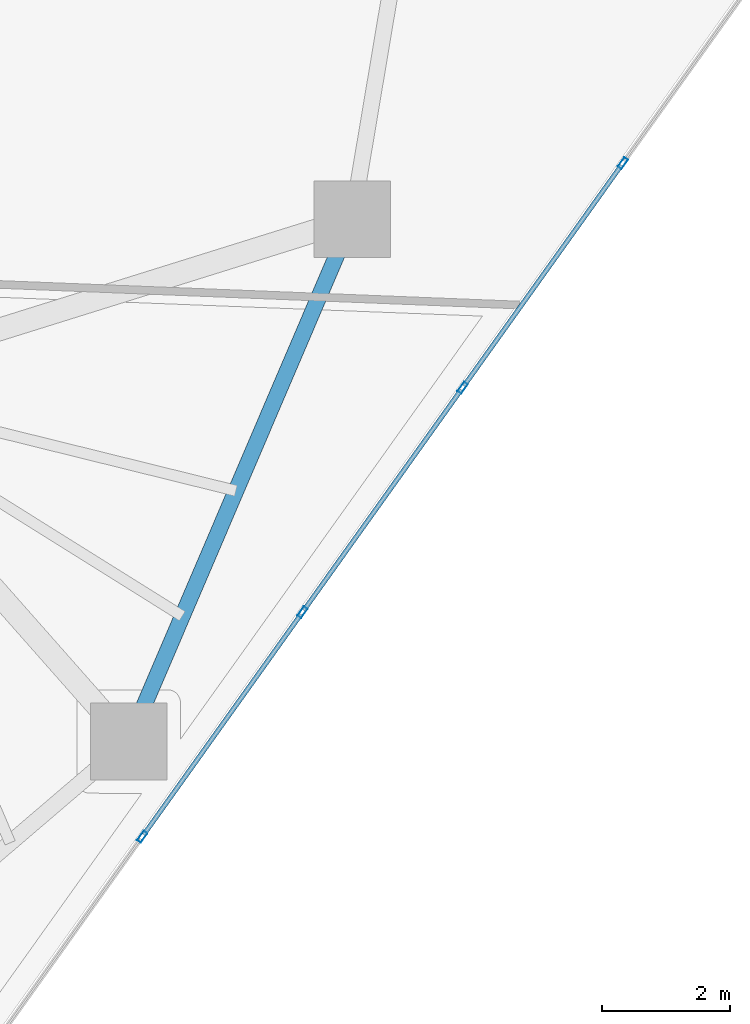
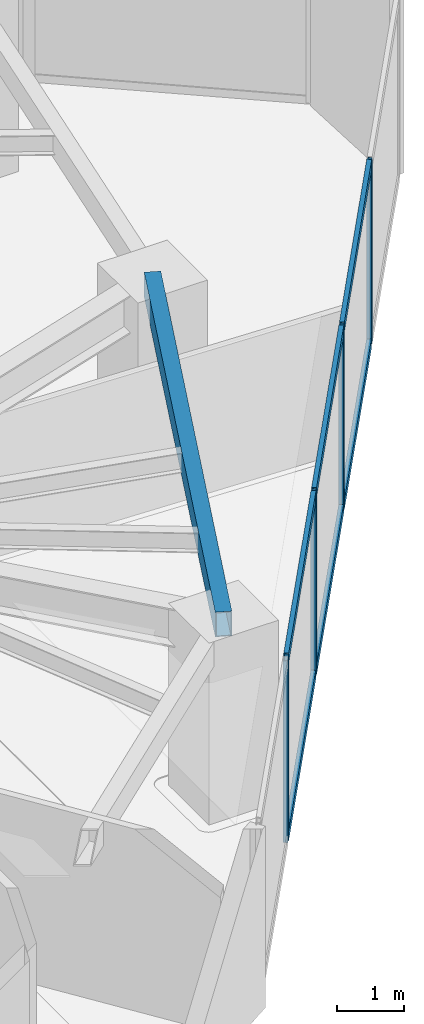
# One storey, part 11 of 22: 10 members, 1 beam, 1 element without a shape of its own.
"""IFC4 building model written with IfcOpenShell, lengths in metres."""

import ifcopenshell
import ifcopenshell.guid

model = None  # the IFC model being written
_history = None  # IfcOwnerHistory: only IFC2X3 demands one
_inside = {}  # id of a spatial element -> (the spatial element, [elements in it])
_under = {}  # id of a project, library or spatial element -> (it, [spatial elements below it])
_declared = {}  # id of a project -> (the project, [libraries it declares])
_typed = {}  # id of a type object -> (the type object, [elements of that type])
_made_of = {}  # id of a material, layer set ... -> (it, [elements and type objects made of it])


def new_model(schema):
    """Start an empty IFC model of exactly this schema.

    Asked for "IFC4X3", IfcOpenShell would pick the latest addendum, in which some entities
    have other attributes; the version numbers below select the first issue.
    IFC2X3 requires an IfcOwnerHistory on every rooted entity: one is made here for all.
    """
    global model, _history
    if schema == "IFC4X3":
        model = ifcopenshell.file(schema_version=(4, 3, 0, 0))
    else:
        model = ifcopenshell.file(schema=schema)
    _inside.clear()
    _under.clear()
    _declared.clear()
    _typed.clear()
    _made_of.clear()
    _history = None
    if model.schema == "IFC2X3":
        org = make("IfcOrganization", Name="unknown")
        user = make(
            "IfcPersonAndOrganization",
            ThePerson=make("IfcPerson", FamilyName="unknown"),
            TheOrganization=org,
        )
        app = make(
            "IfcApplication",
            ApplicationDeveloper=org,
            Version="unknown",
            ApplicationFullName="unknown",
            ApplicationIdentifier="unknown",
        )
        _history = make(
            "IfcOwnerHistory",
            OwningUser=user,
            OwningApplication=app,
            ChangeAction="ADDED",
            CreationDate=0,
        )
    return model


def make(cls, **values):
    """One entity of the class cls with the attributes given. An attribute that is None is left unset."""
    return model.create_entity(
        cls, **{name: value for name, value in values.items() if value is not None}
    )


def rooted(cls, **values):
    """An entity with a GlobalId (a new one), such as an element, a storey or a relation."""
    return make(cls, GlobalId=ifcopenshell.guid.new(), OwnerHistory=_history, **values)


def si_unit(unit_type, name, prefix=None):
    """IfcSIUnit, for example si_unit("LENGTHUNIT", "METRE", prefix="MILLI")."""
    return make("IfcSIUnit", UnitType=unit_type, Prefix=prefix, Name=name)


def assignment(units):
    """IfcUnitAssignment: the units of a project."""
    return None if units is None else make("IfcUnitAssignment", Units=units)


def point(xyz):
    """IfcCartesianPoint."""
    return None if xyz is None else make("IfcCartesianPoint", Coordinates=xyz)


def direction(xyz):
    """IfcDirection."""
    return None if xyz is None else make("IfcDirection", DirectionRatios=xyz)


def frame(location, z_axis=None, x_axis=None):
    """IfcAxis2Placement3D, a coordinate frame: its origin and axes. An axis left out is left unset."""
    return make(
        "IfcAxis2Placement3D",
        Location=point(location),
        Axis=direction(z_axis),
        RefDirection=direction(x_axis),
    )


def frame_2d(location, x_axis=None):
    """IfcAxis2Placement2D, a coordinate frame in the plane: its origin and x axis."""
    return make(
        "IfcAxis2Placement2D", Location=point(location), RefDirection=direction(x_axis)
    )


def origin():
    """The frame at (0, 0, 0) with its axes left unset."""
    return frame((0.0, 0.0, 0.0))


def origin_2d():
    """The frame at (0, 0) in the plane with its x axis left unset."""
    return frame_2d((0.0, 0.0))


def place(relative_to, where):
    """IfcLocalPlacement: puts the frame where relative to a parent placement (None: the world)."""
    return make(
        "IfcLocalPlacement", PlacementRelTo=relative_to, RelativePlacement=where
    )


def context(
    kind, dimensions, precision=None, world=None, true_north=None, identifier=None
):
    """IfcGeometricRepresentationContext, for example the 3D "Model" context."""
    return make(
        "IfcGeometricRepresentationContext",
        ContextIdentifier=identifier,
        ContextType=kind,
        CoordinateSpaceDimension=dimensions,
        Precision=precision,
        WorldCoordinateSystem=world,
        TrueNorth=true_north,
    )


def subcontext(parent, identifier, kind, view, scale=None):
    """IfcGeometricRepresentationSubContext, for example "Body" below "Model"."""
    return make(
        "IfcGeometricRepresentationSubContext",
        ContextIdentifier=identifier,
        ContextType=kind,
        ParentContext=parent,
        TargetScale=scale,
        TargetView=view,
    )


def project(units=None, contexts=None):
    """IfcProject with its units and contexts."""
    return rooted(
        "IfcProject",
        Name="project",
        RepresentationContexts=contexts,
        UnitsInContext=assignment(units),
    )


def spatial(cls, under=None, at=None, **own):
    """A site, building, storey or space (cls), placed at a placement, below another one or the project."""
    s = rooted(cls, ObjectPlacement=at, **own)
    if under is not None:
        _under.setdefault(under.id(), (under, []))[1].append(s)
    return s


def profile(cls, at=None, kind="AREA", **sizes):
    """A parametric profile (cls). Its sizes go by their IFC names, for example OverallWidth=200.0."""
    return make(cls, ProfileType=kind, Position=at, **sizes)


def hollow_rectangle(**sizes):
    """IfcRectangleHollowProfileDef."""
    return profile("IfcRectangleHollowProfileDef", **sizes)


def extrude(swept, where, along, depth):
    """IfcExtrudedAreaSolid: the profile swept, set in the frame where, extruded along a direction by depth."""
    return make(
        "IfcExtrudedAreaSolid",
        SweptArea=swept,
        Position=where,
        ExtrudedDirection=direction(along),
        Depth=depth,
    )


def shape(context_of_items, identifier, shape_type, items):
    """IfcShapeRepresentation: the items that make up one representation, for example the "Body"."""
    return make(
        "IfcShapeRepresentation",
        ContextOfItems=context_of_items,
        RepresentationIdentifier=identifier,
        RepresentationType=shape_type,
        Items=items,
    )


def source(mapping_origin, context_of_items, identifier, shape_type, items):
    """IfcRepresentationMap: a shape defined once, which mapped items show again and again."""
    return make(
        "IfcRepresentationMap",
        MappingOrigin=mapping_origin,
        MappedRepresentation=shape(context_of_items, identifier, shape_type, items),
    )


def transform(
    local_origin,
    x_axis=None,
    y_axis=None,
    z_axis=None,
    scale=None,
    scale2=None,
    scale3=None,
    uniform=True,
):
    """IfcCartesianTransformationOperator3D, or its non-uniform kind. x_axis, y_axis, z_axis: its Axis1, 2, 3."""
    if uniform:
        return make(
            "IfcCartesianTransformationOperator3D",
            Axis1=direction(x_axis),
            Axis2=direction(y_axis),
            LocalOrigin=point(local_origin),
            Scale=scale,
            Axis3=direction(z_axis),
        )
    return make(
        "IfcCartesianTransformationOperator3DnonUniform",
        Axis1=direction(x_axis),
        Axis2=direction(y_axis),
        LocalOrigin=point(local_origin),
        Scale=scale,
        Axis3=direction(z_axis),
        Scale2=scale2,
        Scale3=scale3,
    )


def mapped(mapping_source, mapping_target):
    """IfcMappedItem: shows the shape of a source again, moved by a transform."""
    return make(
        "IfcMappedItem", MappingSource=mapping_source, MappingTarget=mapping_target
    )


def material(Name=None, Category=None):
    """IfcMaterial."""
    return make("IfcMaterial", Name=Name, Category=Category)


def layer(
    of_material, thickness, ventilated=None, Name=None, Category=None, Priority=None
):
    """IfcMaterialLayer: one layer of a wall or slab, of a material (None: an air gap)."""
    return make(
        "IfcMaterialLayer",
        Material=of_material,
        LayerThickness=thickness,
        IsVentilated=ventilated,
        Name=Name,
        Category=Category,
        Priority=Priority,
    )


def layer_set(layers, Name=None):
    """IfcMaterialLayerSet."""
    return make("IfcMaterialLayerSet", MaterialLayers=layers, LayerSetName=Name)


def material_profile(
    of_material, cross_section, Name=None, Category=None, Priority=None
):
    """IfcMaterialProfile: a cross section and its material."""
    return make(
        "IfcMaterialProfile",
        Name=Name,
        Material=of_material,
        Profile=cross_section,
        Priority=Priority,
        Category=Category,
    )


def profile_set(profiles, Name=None, composite=None):
    """IfcMaterialProfileSet."""
    return make(
        "IfcMaterialProfileSet",
        Name=Name,
        MaterialProfiles=profiles,
        CompositeProfile=composite,
    )


def made_of(thing, what):
    """Note that an element or type object is made of a material, layer set ...; save() writes the relation."""
    if what is not None:
        _made_of.setdefault(what.id(), (what, []))[1].append(thing)
    return thing


def type_object(cls, material=None, **own):
    """A type object (cls), such as IfcWallType, which elements share."""
    return made_of(rooted(cls, **own), material)


def type_shapes(of_type, sources):
    """Give a type object the sources (RepresentationMaps) that its elements show as mapped items."""
    of_type.RepresentationMaps = sources


def element(
    cls,
    number,
    at=None,
    inside=None,
    cuts=None,
    type_object=None,
    material=None,
    context=None,
    identifier="Body",
    shape_type=None,
    held_by="IfcProductDefinitionShape",
    body=None,
    shapes=None,
    **own,
):
    """One element of the class cls, such as IfcWall. Its Tag is "e" and its number.

    at: its placement. inside: the storey or other place that contains it. cuts: it is an
    opening in that element (IfcRelVoidsElement). A single representation is given by context,
    identifier, shape_type and body (its items); several are given by shapes. held_by: the class
    of the entity that holds the representations. save() writes the other relations.
    """
    e = rooted(cls, Tag="e%d" % number, ObjectPlacement=at, **own)
    if body is not None:
        shapes = [shape(context, identifier, shape_type, body)]
    if shapes is not None:
        e.Representation = make(held_by, Representations=shapes)
    if inside is not None:
        _inside.setdefault(inside.id(), (inside, []))[1].append(e)
    if cuts is not None:
        rooted(
            "IfcRelVoidsElement", RelatingBuildingElement=cuts, RelatedOpeningElement=e
        )
    if type_object is not None:
        _typed.setdefault(type_object.id(), (type_object, []))[1].append(e)
    return made_of(e, material)


def aggregate(whole, parts):
    """IfcRelAggregates: a whole, such as a stair, and the parts it consists of."""
    return rooted("IfcRelAggregates", RelatingObject=whole, RelatedObjects=parts)


def save(model, path):
    """Write the relations noted so far, then the file.

    IfcRelAggregates (storeys below a building ...), IfcRelContainedInSpatialStructure (elements
    in a storey), IfcRelDefinesByType, IfcRelAssociatesMaterial and IfcRelDeclares: one each for
    every whole, place, type object, material and project.
    """
    for whole, parts in _under.values():
        aggregate(whole, parts)
    for where, things in _inside.values():
        rooted(
            "IfcRelContainedInSpatialStructure",
            RelatedElements=things,
            RelatingStructure=where,
        )
    for kind, things in _typed.values():
        rooted("IfcRelDefinesByType", RelatedObjects=things, RelatingType=kind)
    for what, things in _made_of.values():
        rooted("IfcRelAssociatesMaterial", RelatedObjects=things, RelatingMaterial=what)
    for by, libraries in _declared.values():
        rooted("IfcRelDeclares", RelatingContext=by, RelatedDefinitions=libraries)
    model.write(path)


model = new_model("IFC4")

# Units and contexts
model_context = context("Model", 3, precision=1e-05, world=origin(), true_north=direction((0.0, 1.0)))
body_context = subcontext(model_context, "Body", "Model", "MODEL_VIEW")
ifc_project = project(units=[si_unit("LENGTHUNIT", "METRE"), si_unit("AREAUNIT", "SQUARE_METRE"), si_unit("VOLUMEUNIT", "CUBIC_METRE"), si_unit("PLANEANGLEUNIT", "RADIAN"), si_unit("MASSUNIT", "GRAM", prefix="KILO")], contexts=[model_context])

# Site, building, storey
site_placement = place(None, origin())
site = spatial("IfcSite", under=ifc_project, at=site_placement, CompositionType="ELEMENT")
building_placement = place(site_placement, origin())
building = spatial("IfcBuilding", under=site, at=building_placement, Name="Talar Marvaseh", CompositionType="ELEMENT")
storey_placement = place(building_placement, frame((0.0, 0.0, 121.800048828125)))
storey = spatial("IfcBuildingStorey", under=building, at=storey_placement, Name="L31", CompositionType="ELEMENT", Elevation=121.800048828125)

# Beam
ifc_material_1 = material(Name="Steel S355", Category="steel")
ifc_material_profile_1 = material_profile(ifc_material_1, hollow_rectangle(XDim=0.25, YDim=0.449951171875, WallThickness=0.01611328125, at=origin_2d()), Name="RHS450x250x16")
ifc_profile_set_1 = profile_set([ifc_material_profile_1], Name="Steel S355")
beam_type = type_object("IfcBeamType", Name="Zone 2 Perimeter Spandrel Beam RHS450x250x16", PredefinedType="SPANDREL", material=ifc_profile_set_1)
beam_placement = place(storey_placement, frame((41.708984375, 28.1279296875, 3.0849609375), z_axis=(-0.393369955619, -0.919380268451, 0.0), x_axis=(0.919380268451, -0.393369955619, 0.0)))
element("IfcBeam", 1, at=beam_placement, inside=storey, type_object=beam_type, Name="L31 Zone 2 Perimeter Spandrel Beam RHS450x250x16", PredefinedType="SPANDREL", context=body_context, shape_type="SweptSolid", body=[
    extrude(hollow_rectangle(XDim=0.25, YDim=0.449951171875, WallThickness=0.01611328125, at=origin_2d()), origin(), (0.0, 0.0, 1.0), 8.905029296875),
])

# Curtain wall, members
ifc_material_2 = material(Name="Architectural Aluminium", Category="aluminium")
ifc_layer = layer(ifc_material_2, 0.199951171875)
ifc_layer_set = layer_set([ifc_layer], Name="Architectural Aluminium")
curtain_wall_type = type_object("IfcCurtainWallType", Name="Unitised Acoustic Library Curtain Wall Z2", PredefinedType="NOTDEFINED", material=ifc_layer_set)
curtain_wall_placement = place(storey_placement, origin())
curtain_wall = element("IfcCurtainWall", 2, at=curtain_wall_placement, inside=storey, type_object=curtain_wall_type, Name="L31 Unitised Acoustic Library Curtain Wall Z2", PredefinedType="NOTDEFINED")
ifc_material_profile_2 = material_profile(ifc_material_2, hollow_rectangle(XDim=0.074951171875, YDim=0.179931640625, WallThickness=0.0048828125, at=origin_2d()), Name="RHS180x75x5")
ifc_profile_set_2 = profile_set([ifc_material_profile_2], Name="Architectural Aluminium")
member_type_1 = type_object("IfcMemberType", Name="Unitised Curtain Wall Standard Mullion RHS180x75x5", PredefinedType="MULLION", material=ifc_profile_set_2)
shared_shape_1 = source(origin(), body_context, "Body", "SweptSolid", [
    extrude(hollow_rectangle(XDim=0.074951171875, YDim=0.179931640625, WallThickness=0.0048828125, at=origin_2d()), origin(), (0.0, 0.0, 1.0), 3.31005859375),
])
type_shapes(member_type_1, [shared_shape_1])
member_1_placement = place(storey_placement, frame((45.95166015625, 29.005615234375, 0.0), z_axis=(0.0, 0.0, 1.0), x_axis=(0.814025920663, -0.580828546551, 0.0)))
member_1 = element("IfcMember", 3, at=member_1_placement, type_object=member_type_1, Name="CW-Z2 mullion 2", PredefinedType="MULLION", context=body_context, shape_type="MappedRepresentation", body=[
    mapped(shared_shape_1, transform((0.0, 0.0, 0.0), x_axis=(1.0, 0.0, 0.0), y_axis=(0.0, 1.0, 0.0), z_axis=(0.0, 0.0, 1.0), scale=1.0)),
])
member_2_placement = place(storey_placement, frame((43.4404296875, 25.486083984375, 0.0), z_axis=(0.0, 0.0, 1.0), x_axis=(0.814025920663, -0.580828546551, 0.0)))
member_2 = element("IfcMember", 4, at=member_2_placement, type_object=member_type_1, Name="CW-Z2 mullion 3", PredefinedType="MULLION", context=body_context, shape_type="MappedRepresentation", body=[
    mapped(shared_shape_1, transform((0.0, 0.0, 0.0), x_axis=(1.0, 0.0, 0.0), y_axis=(0.0, 1.0, 0.0), z_axis=(0.0, 0.0, 1.0), scale=1.0)),
])
member_3_placement = place(storey_placement, frame((40.92919921875, 21.966552734375, 0.0), z_axis=(0.0, 0.0, 1.0), x_axis=(0.814025920663, -0.580828546551, 0.0)))
member_3 = element("IfcMember", 5, at=member_3_placement, type_object=member_type_1, Name="CW-Z2 mullion 4", PredefinedType="MULLION", context=body_context, shape_type="MappedRepresentation", body=[
    mapped(shared_shape_1, transform((0.0, 0.0, 0.0), x_axis=(1.0, 0.0, 0.0), y_axis=(0.0, 1.0, 0.0), z_axis=(0.0, 0.0, 1.0), scale=1.0)),
])
member_4_placement = place(storey_placement, frame((38.417724609375, 18.447265625, 0.0), z_axis=(0.0, 0.0, 1.0), x_axis=(0.814025920663, -0.580828546551, 0.0)))
member_4 = element("IfcMember", 6, at=member_4_placement, type_object=member_type_1, Name="CW-Z2 mullion 5", PredefinedType="MULLION", context=body_context, shape_type="MappedRepresentation", body=[
    mapped(shared_shape_1, transform((0.0, 0.0, 0.0), x_axis=(1.0, 0.0, 0.0), y_axis=(0.0, 1.0, 0.0), z_axis=(0.0, 0.0, 1.0), scale=1.0)),
])
ifc_material_profile_3 = material_profile(ifc_material_2, hollow_rectangle(XDim=0.074951171875, YDim=0.179931640625, WallThickness=0.0048828125, at=origin_2d()), Name="RHS180x75x5")
ifc_profile_set_3 = profile_set([ifc_material_profile_3], Name="Architectural Aluminium")
member_type_2 = type_object("IfcMemberType", Name="Unitised Curtain Wall Transom RHS180x75x5", PredefinedType="USERDEFINED", material=ifc_profile_set_3)
shared_shape_2 = source(origin(), body_context, "Body", "SweptSolid", [
    extrude(hollow_rectangle(XDim=0.074951171875, YDim=0.179931640625, WallThickness=0.0048828125, at=origin_2d()), origin(), (0.0, 0.0, 1.0), 4.24853515625),
])
member_5_placement = place(storey_placement, frame((45.9296875, 28.97509765625, 0.037353515625), z_axis=(-0.580797803204, -0.81404785596, 0.0), x_axis=(0.81404785596, -0.580797803204, 0.0)))
member_5 = element("IfcMember", 7, at=member_5_placement, type_object=member_type_2, Name="CW-Z2 transom 2.1", ObjectType="TRANSOM", PredefinedType="USERDEFINED", context=body_context, shape_type="MappedRepresentation", body=[
    mapped(shared_shape_2, transform((0.0, 0.0, 0.0), x_axis=(1.0, 0.0, 0.0), y_axis=(0.0, 1.0, 0.0), z_axis=(0.0, 0.0, 1.0), scale=1.0)),
])
member_6_placement = place(storey_placement, frame((45.9296875, 28.97509765625, 3.2724609375), z_axis=(-0.580797803204, -0.81404785596, 0.0), x_axis=(0.81404785596, -0.580797803204, 0.0)))
member_6 = element("IfcMember", 8, at=member_6_placement, type_object=member_type_2, Name="CW-Z2 transom 2.2", ObjectType="TRANSOM", PredefinedType="USERDEFINED", context=body_context, shape_type="MappedRepresentation", body=[
    mapped(shared_shape_2, transform((0.0, 0.0, 0.0), x_axis=(1.0, 0.0, 0.0), y_axis=(0.0, 1.0, 0.0), z_axis=(0.0, 0.0, 1.0), scale=1.0)),
])
member_7_placement = place(storey_placement, frame((43.41845703125, 25.45556640625, 0.037353515625), z_axis=(-0.580797803204, -0.81404785596, 0.0), x_axis=(0.81404785596, -0.580797803204, 0.0)))
member_7 = element("IfcMember", 9, at=member_7_placement, type_object=member_type_2, Name="CW-Z2 transom 3.1", ObjectType="TRANSOM", PredefinedType="USERDEFINED", context=body_context, shape_type="MappedRepresentation", body=[
    mapped(shared_shape_2, transform((0.0, 0.0, 0.0), x_axis=(1.0, 0.0, 0.0), y_axis=(0.0, 1.0, 0.0), z_axis=(0.0, 0.0, 1.0), scale=1.0)),
])
member_8_placement = place(storey_placement, frame((43.41845703125, 25.45556640625, 3.2724609375), z_axis=(-0.580797803204, -0.81404785596, 0.0), x_axis=(0.81404785596, -0.580797803204, 0.0)))
member_8 = element("IfcMember", 10, at=member_8_placement, type_object=member_type_2, Name="CW-Z2 transom 3.2", ObjectType="TRANSOM", PredefinedType="USERDEFINED", context=body_context, shape_type="MappedRepresentation", body=[
    mapped(shared_shape_2, transform((0.0, 0.0, 0.0), x_axis=(1.0, 0.0, 0.0), y_axis=(0.0, 1.0, 0.0), z_axis=(0.0, 0.0, 1.0), scale=1.0)),
])
shared_shape_3 = source(origin(), body_context, "Body", "SweptSolid", [
    extrude(hollow_rectangle(XDim=0.074951171875, YDim=0.179931640625, WallThickness=0.0048828125, at=origin_2d()), origin(), (0.0, 0.0, 1.0), 4.248291015625),
])
type_shapes(member_type_2, [shared_shape_2, shared_shape_3])
member_9_placement = place(storey_placement, frame((40.9072265625, 21.93603515625, 0.037353515625), z_axis=(-0.580824973399, -0.814028470188, 0.0), x_axis=(0.814028470188, -0.580824973399, 0.0)))
member_9 = element("IfcMember", 11, at=member_9_placement, type_object=member_type_2, Name="CW-Z2 transom 4.1", ObjectType="TRANSOM", PredefinedType="USERDEFINED", context=body_context, shape_type="MappedRepresentation", body=[
    mapped(shared_shape_3, transform((0.0, 0.0, 0.0), x_axis=(1.0, 0.0, 0.0), y_axis=(0.0, 1.0, 0.0), z_axis=(0.0, 0.0, 1.0), scale=1.0)),
])
member_10_placement = place(storey_placement, frame((40.9072265625, 21.93603515625, 3.2724609375), z_axis=(-0.580824973399, -0.814028470188, 0.0), x_axis=(0.814028470188, -0.580824973399, 0.0)))
member_10 = element("IfcMember", 12, at=member_10_placement, type_object=member_type_2, Name="CW-Z2 transom 4.2", ObjectType="TRANSOM", PredefinedType="USERDEFINED", context=body_context, shape_type="MappedRepresentation", body=[
    mapped(shared_shape_3, transform((0.0, 0.0, 0.0), x_axis=(1.0, 0.0, 0.0), y_axis=(0.0, 1.0, 0.0), z_axis=(0.0, 0.0, 1.0), scale=1.0)),
])
aggregate(curtain_wall, [member_1, member_2, member_3, member_4, member_5, member_6, member_7, member_8, member_9, member_10])

save(model, "model.ifc")
